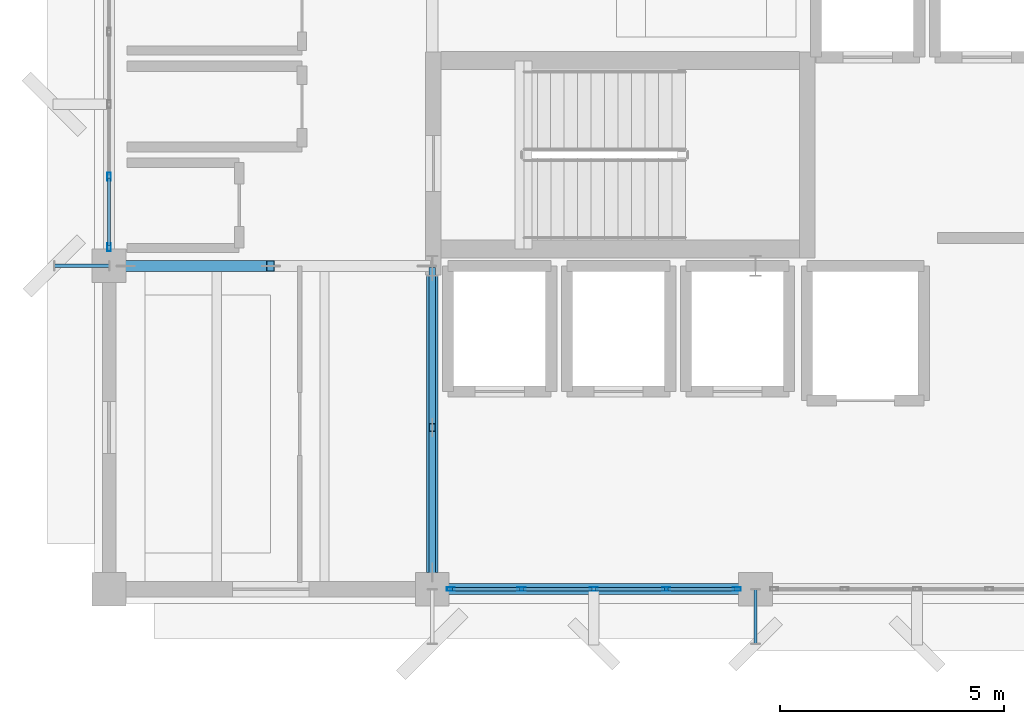
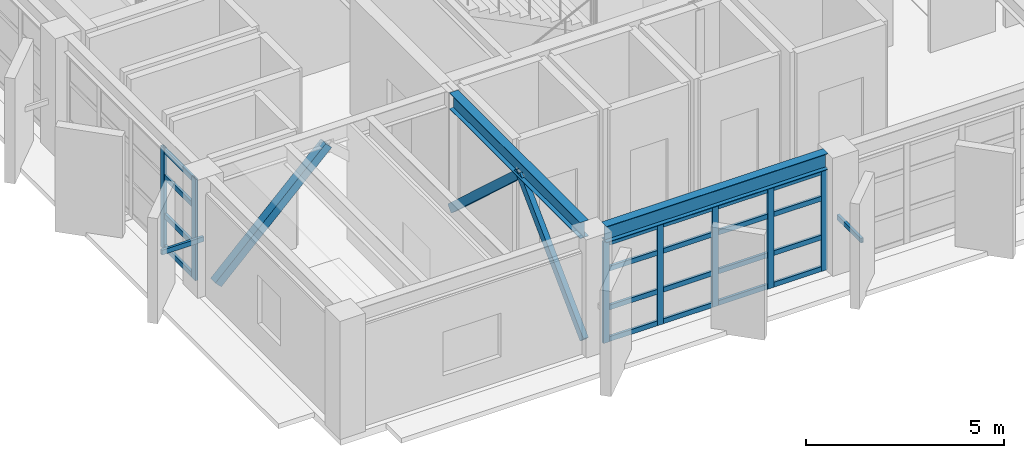
# One storey, part 4 of 24: 32 members, 2 beams, 2 elements without a shape of their own.
"""IFC4 building model written with IfcOpenShell, lengths in metres."""

from ifc_helpers import new_model, si_unit, direction, frame, origin, origin_2d, place, context, subcontext, project, spatial, hollow_rectangle, i_section, extrude, material, layer, layer_set, material_profile, profile_set, type_object, element, aggregate, save


model = new_model("IFC4")

# Units and contexts
model_context = context("Model", 3, precision=1e-05, world=origin(), true_north=direction((0.0, 1.0)))
body_context = subcontext(model_context, "Body", "Model", "MODEL_VIEW")
ifc_project = project(units=[si_unit("LENGTHUNIT", "METRE"), si_unit("AREAUNIT", "SQUARE_METRE"), si_unit("VOLUMEUNIT", "CUBIC_METRE"), si_unit("PLANEANGLEUNIT", "RADIAN"), si_unit("MASSUNIT", "GRAM", prefix="KILO")], contexts=[model_context])

# Site, building, storey
site_placement = place(None, origin())
site = spatial("IfcSite", under=ifc_project, at=site_placement, CompositionType="ELEMENT")
building_placement = place(site_placement, origin())
building = spatial("IfcBuilding", under=site, at=building_placement, Name="Kandorven Conservatory and Botanical Research Centre", CompositionType="ELEMENT")
storey_placement = place(building_placement, frame((0.0, 0.0, 24.89990234375)))
storey = spatial("IfcBuildingStorey", under=building, at=storey_placement, Name="L06", CompositionType="ELEMENT", Elevation=24.89990234375)

# Beams
ifc_material_1 = material(Name="Steel S355 (IS 2062 E350)", Category="steel")
ifc_material_profile_1 = material_profile(ifc_material_1, i_section(OverallWidth=0.25, OverallDepth=0.5, WebThickness=0.010009765625, FlangeThickness=0.0146484375, at=origin_2d()))
ifc_profile_set_1 = profile_set([ifc_material_profile_1], Name="Steel S355 (IS 2062 E350)")
beam_type = type_object("IfcBeamType", Name="Beam_FG-02", PredefinedType="USERDEFINED", material=ifc_profile_set_1)
beam_1_placement = place(storey_placement, frame((13.56494140625, 6.0, 3.400146484375), z_axis=(1.0, 0.0, 0.0), x_axis=(0.0, 1.0, 0.0)))
element("IfcBeam", 1, at=beam_1_placement, inside=storey, type_object=beam_type, Name="Primary girder FG-02 TWR L06", ObjectType="GIRDER", PredefinedType="USERDEFINED", context=body_context, shape_type="SweptSolid", body=[
    extrude(i_section(OverallWidth=0.25, OverallDepth=0.5, WebThickness=0.010009765625, FlangeThickness=0.0146484375, at=origin_2d()), origin(), (0.0, 0.0, 1.0), 6.469970703125),
])
beam_2_placement = place(storey_placement, frame((13.199951171875, 6.364990234375, 3.400146484375), z_axis=(0.0, 1.0, 0.0), x_axis=(-1.0, 0.0, 0.0)))
element("IfcBeam", 2, at=beam_2_placement, inside=storey, type_object=beam_type, Name="Primary girder FG-02 TWR L06", ObjectType="GIRDER", PredefinedType="USERDEFINED", context=body_context, shape_type="SweptSolid", body=[
    extrude(i_section(OverallWidth=0.25, OverallDepth=0.5, WebThickness=0.010009765625, FlangeThickness=0.0146484375, at=origin_2d()), origin(), (0.0, 0.0, 1.0), 6.6201171875),
])

# Curtain wall, members
ifc_material_2 = material(Name="Bronze anodised thermally broken aluminium", Category="aluminium")
ifc_layer = layer(ifc_material_2, 0.179931640625)
ifc_layer_set = layer_set([ifc_layer], Name="Bronze anodised thermally broken aluminium")
curtain_wall_type = type_object("IfcCurtainWallType", Name="CW_Unitised", PredefinedType="USERDEFINED", material=ifc_layer_set)
curtain_wall_1_placement = place(storey_placement, origin())
curtain_wall_1 = element("IfcCurtainWall", 3, at=curtain_wall_1_placement, inside=storey, type_object=curtain_wall_type, Name="Tower laboratory curtain wall CW-TWR-S-L06-2", ObjectType="UNITISED GLAZING", PredefinedType="USERDEFINED")
ifc_material_3 = material(Name="Bronze anodised thermally broken aluminium", Category="aluminium")
ifc_material_profile_2 = material_profile(ifc_material_3, hollow_rectangle(XDim=0.080078125, YDim=0.179931640625, WallThickness=0.006103515625, at=origin_2d()))
ifc_profile_set_2 = profile_set([ifc_material_profile_2], Name="Bronze anodised thermally broken aluminium")
member_type_1 = type_object("IfcMemberType", Name="CW_Mullion", PredefinedType="MULLION", material=ifc_profile_set_2)
member_1_placement = place(storey_placement, frame((13.614990234375, 6.0, 0.0), z_axis=(0.0, 0.0, 1.0), x_axis=(0.0, 1.0, 0.0)))
member_1 = element("IfcMember", 4, at=member_1_placement, type_object=member_type_1, Name="CW-01 mullion 1", PredefinedType="MULLION", context=body_context, shape_type="SweptSolid", body=[
    extrude(hollow_rectangle(XDim=0.080078125, YDim=0.179931640625, WallThickness=0.006103515625, at=origin_2d()), origin(), (0.0, 0.0, 1.0), 3.130126953125),
])
member_2_placement = place(storey_placement, frame((15.1875, 6.0, 0.0), z_axis=(0.0, 0.0, 1.0), x_axis=(0.0, 1.0, 0.0)))
member_2 = element("IfcMember", 5, at=member_2_placement, type_object=member_type_1, Name="CW-01 mullion 2", PredefinedType="MULLION", context=body_context, shape_type="SweptSolid", body=[
    extrude(hollow_rectangle(XDim=0.080078125, YDim=0.179931640625, WallThickness=0.006103515625, at=origin_2d()), origin(), (0.0, 0.0, 1.0), 3.130126953125),
])
member_3_placement = place(storey_placement, frame((16.800048828125, 6.0, 0.0), z_axis=(0.0, 0.0, 1.0), x_axis=(0.0, 1.0, 0.0)))
member_3 = element("IfcMember", 6, at=member_3_placement, type_object=member_type_1, Name="CW-01 mullion 3", PredefinedType="MULLION", context=body_context, shape_type="SweptSolid", body=[
    extrude(hollow_rectangle(XDim=0.080078125, YDim=0.179931640625, WallThickness=0.006103515625, at=origin_2d()), origin(), (0.0, 0.0, 1.0), 3.130126953125),
])
member_4_placement = place(storey_placement, frame((18.41259765625, 6.0, 0.0), z_axis=(0.0, 0.0, 1.0), x_axis=(0.0, 1.0, 0.0)))
member_4 = element("IfcMember", 7, at=member_4_placement, type_object=member_type_1, Name="CW-01 mullion 4", PredefinedType="MULLION", context=body_context, shape_type="SweptSolid", body=[
    extrude(hollow_rectangle(XDim=0.080078125, YDim=0.179931640625, WallThickness=0.006103515625, at=origin_2d()), origin(), (0.0, 0.0, 1.0), 3.130126953125),
])
member_5_placement = place(storey_placement, frame((19.985107421875, 6.0, 0.0), z_axis=(0.0, 0.0, 1.0), x_axis=(0.0, 1.0, 0.0)))
member_5 = element("IfcMember", 8, at=member_5_placement, type_object=member_type_1, Name="CW-01 mullion 5", PredefinedType="MULLION", context=body_context, shape_type="SweptSolid", body=[
    extrude(hollow_rectangle(XDim=0.080078125, YDim=0.179931640625, WallThickness=0.006103515625, at=origin_2d()), origin(), (0.0, 0.0, 1.0), 3.130126953125),
])

curtain_wall_2_placement = place(storey_placement, origin())
curtain_wall_2 = element("IfcCurtainWall", 9, at=curtain_wall_2_placement, inside=storey, type_object=curtain_wall_type, Name="Tower laboratory curtain wall CW-TWR-W-L06-2", ObjectType="UNITISED GLAZING", PredefinedType="USERDEFINED")
member_6_placement = place(storey_placement, frame((6.0, 13.614990234375, 0.0), z_axis=(0.0, 0.0, 1.0), x_axis=(-1.0, 0.0, 0.0)))
member_6 = element("IfcMember", 10, at=member_6_placement, type_object=member_type_1, Name="CW-01 mullion 1", PredefinedType="MULLION", context=body_context, shape_type="SweptSolid", body=[
    extrude(hollow_rectangle(XDim=0.080078125, YDim=0.179931640625, WallThickness=0.006103515625, at=origin_2d()), origin(), (0.0, 0.0, 1.0), 3.130126953125),
])
member_7_placement = place(storey_placement, frame((6.0, 15.1875, 0.0), z_axis=(0.0, 0.0, 1.0), x_axis=(-1.0, 0.0, 0.0)))
member_7 = element("IfcMember", 11, at=member_7_placement, type_object=member_type_1, Name="CW-01 mullion 2", PredefinedType="MULLION", context=body_context, shape_type="SweptSolid", body=[
    extrude(hollow_rectangle(XDim=0.080078125, YDim=0.179931640625, WallThickness=0.006103515625, at=origin_2d()), origin(), (0.0, 0.0, 1.0), 3.130126953125),
])

# Member
ifc_material_4 = material(Name="Bronze anodised thermally broken aluminium", Category="aluminium")
ifc_material_profile_3 = material_profile(ifc_material_4, hollow_rectangle(XDim=0.074951171875, YDim=0.14990234375, WallThickness=0.006103515625, at=origin_2d()))
ifc_profile_set_3 = profile_set([ifc_material_profile_3], Name="Bronze anodised thermally broken aluminium")
member_type_2 = type_object("IfcMemberType", Name="CW_Transom", PredefinedType="USERDEFINED", material=ifc_profile_set_3)
member_8_placement = place(storey_placement, frame((13.655029296875, 6.0, 0.0751953125), z_axis=(1.0, 0.0, 0.0), x_axis=(0.0, 1.0, 0.0)))
member_8 = element("IfcMember", 12, at=member_8_placement, type_object=member_type_2, Name="CW-01 transom 1.1", ObjectType="TRANSOM", PredefinedType="USERDEFINED", context=body_context, shape_type="SweptSolid", body=[
    extrude(hollow_rectangle(XDim=0.074951171875, YDim=0.14990234375, WallThickness=0.006103515625, at=origin_2d()), origin(), (0.0, 0.0, 1.0), 1.492431640625),
])

member_9_placement = place(storey_placement, frame((13.655029296875, 6.0, 1.050048828125), z_axis=(1.0, 0.0, 0.0), x_axis=(0.0, 1.0, 0.0)))
member_9 = element("IfcMember", 13, at=member_9_placement, type_object=member_type_2, Name="CW-01 transom 1.2", ObjectType="TRANSOM", PredefinedType="USERDEFINED", context=body_context, shape_type="SweptSolid", body=[
    extrude(hollow_rectangle(XDim=0.074951171875, YDim=0.14990234375, WallThickness=0.006103515625, at=origin_2d()), origin(), (0.0, 0.0, 1.0), 1.492431640625),
])

member_10_placement = place(storey_placement, frame((13.655029296875, 6.0, 2.25), z_axis=(1.0, 0.0, 0.0), x_axis=(0.0, 1.0, 0.0)))
member_10 = element("IfcMember", 14, at=member_10_placement, type_object=member_type_2, Name="CW-01 transom 1.3", ObjectType="TRANSOM", PredefinedType="USERDEFINED", context=body_context, shape_type="SweptSolid", body=[
    extrude(hollow_rectangle(XDim=0.074951171875, YDim=0.14990234375, WallThickness=0.006103515625, at=origin_2d()), origin(), (0.0, 0.0, 1.0), 1.492431640625),
])

member_11_placement = place(storey_placement, frame((13.655029296875, 6.0, 3.05517578125), z_axis=(1.0, 0.0, 0.0), x_axis=(0.0, 1.0, 0.0)))
member_11 = element("IfcMember", 15, at=member_11_placement, type_object=member_type_2, Name="CW-01 transom 1.4", ObjectType="TRANSOM", PredefinedType="USERDEFINED", context=body_context, shape_type="SweptSolid", body=[
    extrude(hollow_rectangle(XDim=0.074951171875, YDim=0.14990234375, WallThickness=0.006103515625, at=origin_2d()), origin(), (0.0, 0.0, 1.0), 1.492431640625),
])

member_12_placement = place(storey_placement, frame((15.2275390625, 6.0, 0.0751953125), z_axis=(1.0, 0.0, 0.0), x_axis=(0.0, 1.0, 0.0)))
member_12 = element("IfcMember", 16, at=member_12_placement, type_object=member_type_2, Name="CW-01 transom 2.1", ObjectType="TRANSOM", PredefinedType="USERDEFINED", context=body_context, shape_type="SweptSolid", body=[
    extrude(hollow_rectangle(XDim=0.074951171875, YDim=0.14990234375, WallThickness=0.006103515625, at=origin_2d()), origin(), (0.0, 0.0, 1.0), 1.532470703125),
])

member_13_placement = place(storey_placement, frame((15.2275390625, 6.0, 1.050048828125), z_axis=(1.0, 0.0, 0.0), x_axis=(0.0, 1.0, 0.0)))
member_13 = element("IfcMember", 17, at=member_13_placement, type_object=member_type_2, Name="CW-01 transom 2.2", ObjectType="TRANSOM", PredefinedType="USERDEFINED", context=body_context, shape_type="SweptSolid", body=[
    extrude(hollow_rectangle(XDim=0.074951171875, YDim=0.14990234375, WallThickness=0.006103515625, at=origin_2d()), origin(), (0.0, 0.0, 1.0), 1.532470703125),
])

member_14_placement = place(storey_placement, frame((15.2275390625, 6.0, 2.25), z_axis=(1.0, 0.0, 0.0), x_axis=(0.0, 1.0, 0.0)))
member_14 = element("IfcMember", 18, at=member_14_placement, type_object=member_type_2, Name="CW-01 transom 2.3", ObjectType="TRANSOM", PredefinedType="USERDEFINED", context=body_context, shape_type="SweptSolid", body=[
    extrude(hollow_rectangle(XDim=0.074951171875, YDim=0.14990234375, WallThickness=0.006103515625, at=origin_2d()), origin(), (0.0, 0.0, 1.0), 1.532470703125),
])

member_15_placement = place(storey_placement, frame((15.2275390625, 6.0, 3.05517578125), z_axis=(1.0, 0.0, 0.0), x_axis=(0.0, 1.0, 0.0)))
member_15 = element("IfcMember", 19, at=member_15_placement, type_object=member_type_2, Name="CW-01 transom 2.4", ObjectType="TRANSOM", PredefinedType="USERDEFINED", context=body_context, shape_type="SweptSolid", body=[
    extrude(hollow_rectangle(XDim=0.074951171875, YDim=0.14990234375, WallThickness=0.006103515625, at=origin_2d()), origin(), (0.0, 0.0, 1.0), 1.532470703125),
])

member_16_placement = place(storey_placement, frame((16.840087890625, 6.0, 0.0751953125), z_axis=(1.0, 0.0, 0.0), x_axis=(0.0, 1.0, 0.0)))
member_16 = element("IfcMember", 20, at=member_16_placement, type_object=member_type_2, Name="CW-01 transom 3.1", ObjectType="TRANSOM", PredefinedType="USERDEFINED", context=body_context, shape_type="SweptSolid", body=[
    extrude(hollow_rectangle(XDim=0.074951171875, YDim=0.14990234375, WallThickness=0.006103515625, at=origin_2d()), origin(), (0.0, 0.0, 1.0), 1.532470703125),
])

member_17_placement = place(storey_placement, frame((16.840087890625, 6.0, 1.050048828125), z_axis=(1.0, 0.0, 0.0), x_axis=(0.0, 1.0, 0.0)))
member_17 = element("IfcMember", 21, at=member_17_placement, type_object=member_type_2, Name="CW-01 transom 3.2", ObjectType="TRANSOM", PredefinedType="USERDEFINED", context=body_context, shape_type="SweptSolid", body=[
    extrude(hollow_rectangle(XDim=0.074951171875, YDim=0.14990234375, WallThickness=0.006103515625, at=origin_2d()), origin(), (0.0, 0.0, 1.0), 1.532470703125),
])

member_18_placement = place(storey_placement, frame((16.840087890625, 6.0, 2.25), z_axis=(1.0, 0.0, 0.0), x_axis=(0.0, 1.0, 0.0)))
member_18 = element("IfcMember", 22, at=member_18_placement, type_object=member_type_2, Name="CW-01 transom 3.3", ObjectType="TRANSOM", PredefinedType="USERDEFINED", context=body_context, shape_type="SweptSolid", body=[
    extrude(hollow_rectangle(XDim=0.074951171875, YDim=0.14990234375, WallThickness=0.006103515625, at=origin_2d()), origin(), (0.0, 0.0, 1.0), 1.532470703125),
])

member_19_placement = place(storey_placement, frame((16.840087890625, 6.0, 3.05517578125), z_axis=(1.0, 0.0, 0.0), x_axis=(0.0, 1.0, 0.0)))
member_19 = element("IfcMember", 23, at=member_19_placement, type_object=member_type_2, Name="CW-01 transom 3.4", ObjectType="TRANSOM", PredefinedType="USERDEFINED", context=body_context, shape_type="SweptSolid", body=[
    extrude(hollow_rectangle(XDim=0.074951171875, YDim=0.14990234375, WallThickness=0.006103515625, at=origin_2d()), origin(), (0.0, 0.0, 1.0), 1.532470703125),
])

member_20_placement = place(storey_placement, frame((18.452392578125, 6.0, 0.0751953125), z_axis=(1.0, 0.0, 0.0), x_axis=(0.0, 1.0, 0.0)))
member_20 = element("IfcMember", 24, at=member_20_placement, type_object=member_type_2, Name="CW-01 transom 4.1", ObjectType="TRANSOM", PredefinedType="USERDEFINED", context=body_context, shape_type="SweptSolid", body=[
    extrude(hollow_rectangle(XDim=0.074951171875, YDim=0.14990234375, WallThickness=0.006103515625, at=origin_2d()), origin(), (0.0, 0.0, 1.0), 1.49267578125),
])

member_21_placement = place(storey_placement, frame((18.452392578125, 6.0, 1.050048828125), z_axis=(1.0, 0.0, 0.0), x_axis=(0.0, 1.0, 0.0)))
member_21 = element("IfcMember", 25, at=member_21_placement, type_object=member_type_2, Name="CW-01 transom 4.2", ObjectType="TRANSOM", PredefinedType="USERDEFINED", context=body_context, shape_type="SweptSolid", body=[
    extrude(hollow_rectangle(XDim=0.074951171875, YDim=0.14990234375, WallThickness=0.006103515625, at=origin_2d()), origin(), (0.0, 0.0, 1.0), 1.49267578125),
])

member_22_placement = place(storey_placement, frame((18.452392578125, 6.0, 2.25), z_axis=(1.0, 0.0, 0.0), x_axis=(0.0, 1.0, 0.0)))
member_22 = element("IfcMember", 26, at=member_22_placement, type_object=member_type_2, Name="CW-01 transom 4.3", ObjectType="TRANSOM", PredefinedType="USERDEFINED", context=body_context, shape_type="SweptSolid", body=[
    extrude(hollow_rectangle(XDim=0.074951171875, YDim=0.14990234375, WallThickness=0.006103515625, at=origin_2d()), origin(), (0.0, 0.0, 1.0), 1.49267578125),
])

member_23_placement = place(storey_placement, frame((18.452392578125, 6.0, 3.05517578125), z_axis=(1.0, 0.0, 0.0), x_axis=(0.0, 1.0, 0.0)))
member_23 = element("IfcMember", 27, at=member_23_placement, type_object=member_type_2, Name="CW-01 transom 4.4", ObjectType="TRANSOM", PredefinedType="USERDEFINED", context=body_context, shape_type="SweptSolid", body=[
    extrude(hollow_rectangle(XDim=0.074951171875, YDim=0.14990234375, WallThickness=0.006103515625, at=origin_2d()), origin(), (0.0, 0.0, 1.0), 1.49267578125),
])

aggregate(curtain_wall_1, [member_1, member_2, member_3, member_4, member_5, member_8, member_9, member_10, member_11, member_12, member_13, member_14, member_15, member_16, member_17, member_18, member_19, member_20, member_21, member_22, member_23])

member_24_placement = place(storey_placement, frame((6.0, 13.655029296875, 0.0751953125), z_axis=(0.0, 1.0, 0.0), x_axis=(-1.0, 0.0, 0.0)))
member_24 = element("IfcMember", 28, at=member_24_placement, type_object=member_type_2, Name="CW-01 transom 1.1", ObjectType="TRANSOM", PredefinedType="USERDEFINED", context=body_context, shape_type="SweptSolid", body=[
    extrude(hollow_rectangle(XDim=0.074951171875, YDim=0.14990234375, WallThickness=0.006103515625, at=origin_2d()), origin(), (0.0, 0.0, 1.0), 1.492431640625),
])

member_25_placement = place(storey_placement, frame((6.0, 13.655029296875, 1.050048828125), z_axis=(0.0, 1.0, 0.0), x_axis=(-1.0, 0.0, 0.0)))
member_25 = element("IfcMember", 29, at=member_25_placement, type_object=member_type_2, Name="CW-01 transom 1.2", ObjectType="TRANSOM", PredefinedType="USERDEFINED", context=body_context, shape_type="SweptSolid", body=[
    extrude(hollow_rectangle(XDim=0.074951171875, YDim=0.14990234375, WallThickness=0.006103515625, at=origin_2d()), origin(), (0.0, 0.0, 1.0), 1.492431640625),
])

member_26_placement = place(storey_placement, frame((6.0, 13.655029296875, 2.25), z_axis=(0.0, 1.0, 0.0), x_axis=(-1.0, 0.0, 0.0)))
member_26 = element("IfcMember", 30, at=member_26_placement, type_object=member_type_2, Name="CW-01 transom 1.3", ObjectType="TRANSOM", PredefinedType="USERDEFINED", context=body_context, shape_type="SweptSolid", body=[
    extrude(hollow_rectangle(XDim=0.074951171875, YDim=0.14990234375, WallThickness=0.006103515625, at=origin_2d()), origin(), (0.0, 0.0, 1.0), 1.492431640625),
])

member_27_placement = place(storey_placement, frame((6.0, 13.655029296875, 3.05517578125), z_axis=(0.0, 1.0, 0.0), x_axis=(-1.0, 0.0, 0.0)))
member_27 = element("IfcMember", 31, at=member_27_placement, type_object=member_type_2, Name="CW-01 transom 1.4", ObjectType="TRANSOM", PredefinedType="USERDEFINED", context=body_context, shape_type="SweptSolid", body=[
    extrude(hollow_rectangle(XDim=0.074951171875, YDim=0.14990234375, WallThickness=0.006103515625, at=origin_2d()), origin(), (0.0, 0.0, 1.0), 1.492431640625),
])

aggregate(curtain_wall_2, [member_6, member_7, member_24, member_25, member_26, member_27])

# Members
ifc_material_5 = material(Name="Steel S355 (IS 2062 E350)", Category="steel")
ifc_material_profile_4 = material_profile(ifc_material_5, hollow_rectangle(XDim=0.25, YDim=0.25, WallThickness=0.011962890625, at=origin_2d()))
ifc_profile_set_4 = profile_set([ifc_material_profile_4], Name="Steel S355 (IS 2062 E350)")
member_type_3 = type_object("IfcMemberType", Name="Mem_BR-02", PredefinedType="BRACE", material=ifc_profile_set_4)
member_28_placement = place(storey_placement, frame((6.375, 13.199951171875, 0.0), z_axis=(0.712048396726, 0.0, 0.702130387264), x_axis=(0.0, 1.0, 0.0)))
element("IfcMember", 32, at=member_28_placement, inside=storey, type_object=member_type_3, Name="Tower lateral chevron brace BR-02 L06 W", PredefinedType="BRACE", context=body_context, shape_type="SweptSolid", body=[
    extrude(hollow_rectangle(XDim=0.25, YDim=0.25, WallThickness=0.011962890625, at=origin_2d()), origin(), (0.0, 0.0, 1.0), 4.529296875),
])
ifc_material_6 = material(Name="Steel S355 (IS 2062 E350)", Category="steel")
ifc_material_profile_5 = material_profile(ifc_material_6, hollow_rectangle(XDim=0.14990234375, YDim=0.25, WallThickness=0.010009765625, at=origin_2d()))
ifc_profile_set_5 = profile_set([ifc_material_profile_5], Name="Steel S355 (IS 2062 E350)")
member_type_4 = type_object("IfcMemberType", Name="Mem_BR-04", PredefinedType="BRACE", material=ifc_profile_set_5)
member_29_placement = place(storey_placement, frame((13.199951171875, 6.375, 0.0), z_axis=(0.0, 0.712048396726, 0.702130387264), x_axis=(-1.0, 0.0, 0.0)))
element("IfcMember", 33, at=member_29_placement, inside=storey, type_object=member_type_4, Name="Tower lateral chevron brace BR-04 L06 S", PredefinedType="BRACE", context=body_context, shape_type="SweptSolid", body=[
    extrude(hollow_rectangle(XDim=0.14990234375, YDim=0.25, WallThickness=0.010009765625, at=origin_2d()), origin(), (0.0, 0.0, 1.0), 4.529296875),
])
member_30_placement = place(storey_placement, frame((13.199951171875, 13.074951171875, 0.0), z_axis=(0.0, -0.737693912921, 0.675135312985), x_axis=(1.0, 0.0, 0.0)))
element("IfcMember", 34, at=member_30_placement, inside=storey, type_object=member_type_4, Name="Tower lateral chevron brace BR-04 L06 N", PredefinedType="BRACE", context=body_context, shape_type="SweptSolid", body=[
    extrude(hollow_rectangle(XDim=0.14990234375, YDim=0.25, WallThickness=0.010009765625, at=origin_2d()), origin(), (0.0, 0.0, 1.0), 4.71044921875),
])
ifc_material_7 = material(Name="Steel S355 (IS 2062 E350)", Category="steel")
ifc_material_profile_6 = material_profile(ifc_material_7, hollow_rectangle(XDim=0.074951171875, YDim=0.14990234375, WallThickness=0.006103515625, at=origin_2d()))
ifc_profile_set_6 = profile_set([ifc_material_profile_6], Name="Steel S355 (IS 2062 E350)")
member_type_5 = type_object("IfcMemberType", Name="Mem_SF-01", PredefinedType="STRUT", material=ifc_profile_set_6)
for number, where, z_axis, x_axis, name in (
    (35, (20.39990234375, 6.0, 1.5), (0.0, -1.0, 0.0), (1.0, 0.0, 0.0), "Solar fin steel outrigger strut SF-01 #61"),
    (36, (6.0, 13.199951171875, 1.5), (-1.0, 0.0, 0.0), (0.0, -1.0, 0.0), "Solar fin steel outrigger strut SF-01 #65"),
):
    element("IfcMember", number, at=place(storey_placement, frame(where, z_axis=z_axis, x_axis=x_axis)), inside=storey, type_object=member_type_5, Name=name, PredefinedType="STRUT", context=body_context, shape_type="SweptSolid", body=[
        extrude(hollow_rectangle(XDim=0.074951171875, YDim=0.14990234375, WallThickness=0.006103515625, at=origin_2d()), origin(), (0.0, 0.0, 1.0), 1.219970703125),
    ])

save(model, "model.ifc")
